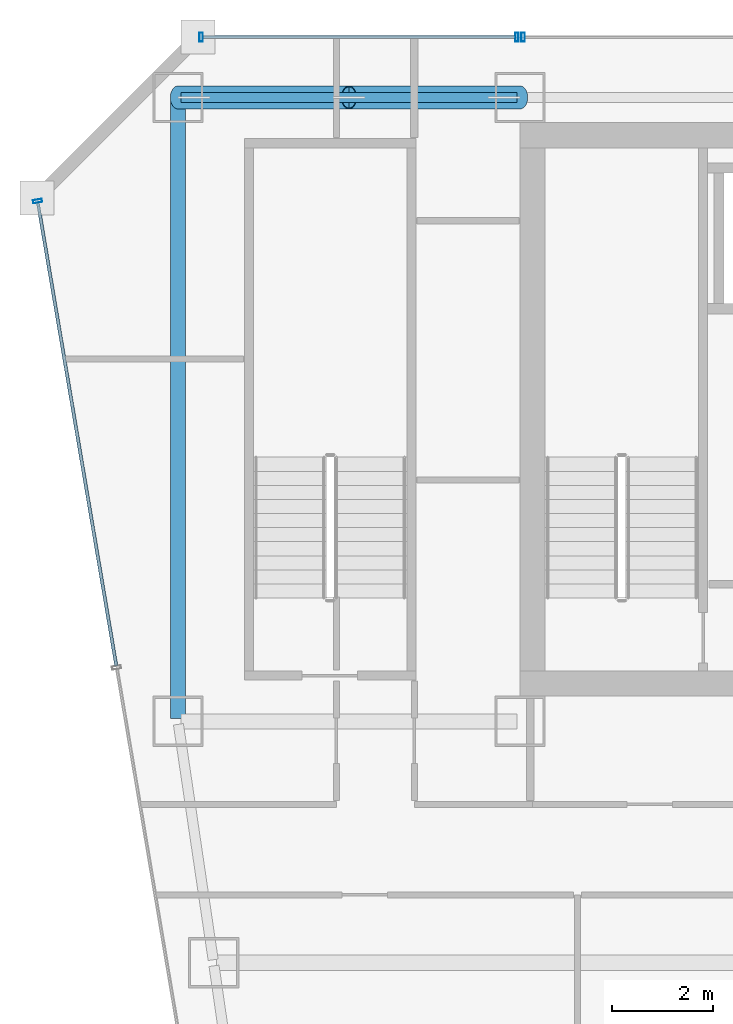
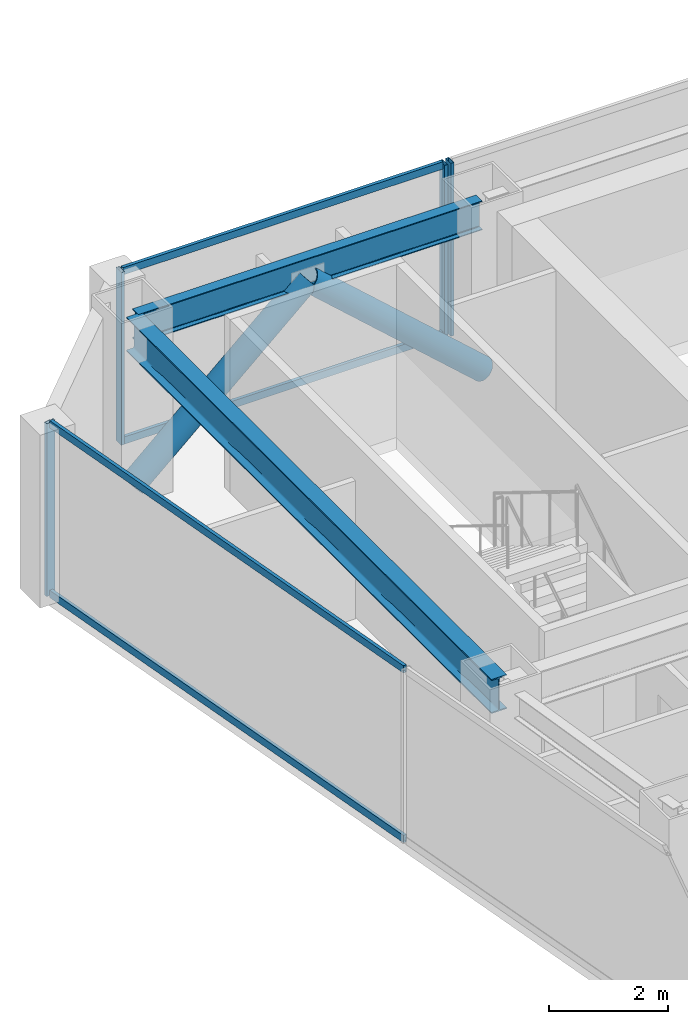
# One storey, part 22 of 35: 10 members, 2 beams, 3 elements without a shape of their own.
"""IFC4 building model written with IfcOpenShell, lengths in metres."""

from ifc_helpers import new_model, si_unit, direction, frame, origin, origin_2d, place, context, subcontext, project, spatial, hollow_rectangle, hollow_circle, i_section, extrude, material, material_profile, profile_set, type_object, element, aggregate, save


model = new_model("IFC4")

# Units and contexts
model_context = context("Model", 3, precision=1e-05, world=origin(), true_north=direction((0.0, 1.0)))
body_context = subcontext(model_context, "Body", "Model", "MODEL_VIEW")
ifc_project = project(units=[si_unit("LENGTHUNIT", "METRE"), si_unit("AREAUNIT", "SQUARE_METRE"), si_unit("VOLUMEUNIT", "CUBIC_METRE"), si_unit("PLANEANGLEUNIT", "RADIAN"), si_unit("MASSUNIT", "GRAM", prefix="KILO")], contexts=[model_context])

# Site, building, storey
site_placement = place(None, origin())
site = spatial("IfcSite", under=ifc_project, at=site_placement, CompositionType="ELEMENT")
building_placement = place(site_placement, origin())
building = spatial("IfcBuilding", under=site, at=building_placement, Name="Saevonmaru Cultural Tower", CompositionType="ELEMENT")
storey_placement = place(building_placement, frame((0.0, 0.0, 175.199951171875)))
storey = spatial("IfcBuildingStorey", under=building, at=storey_placement, Name="L39", CompositionType="ELEMENT", Elevation=175.199951171875)

# Beams
ifc_material_1 = material(Name="Steel SM355", Category="steel")
ifc_material_profile_1 = material_profile(ifc_material_1, i_section(OverallWidth=0.300048828125, OverallDepth=0.699951171875, WebThickness=0.012939453125, FlangeThickness=0.02392578125, FilletRadius=0.02587890625, at=origin_2d()), Name="H-700x300x13x24")
ifc_profile_set_1 = profile_set([ifc_material_profile_1], Name="Steel SM355")
beam_type_1 = type_object("IfcBeamType", Name="BM-G-H700", PredefinedType="BEAM", material=ifc_profile_set_1)
beam_1_placement = place(storey_placement, frame((6.800048828125, 54.739990234375, 3.199951171875), z_axis=(0.0, -1.0, 0.0), x_axis=(1.0, 0.0, 0.0)))
element("IfcBeam", 1, at=beam_1_placement, inside=storey, type_object=beam_type_1, Name="L39 Spine Transverse Girder W", PredefinedType="BEAM", context=body_context, shape_type="SweptSolid", body=[
    extrude(i_section(OverallWidth=0.300048828125, OverallDepth=0.699951171875, WebThickness=0.012939453125, FlangeThickness=0.02392578125, FilletRadius=0.02587890625, at=origin_2d()), origin(), (0.0, 0.0, 1.0), 12.280029296875),
])
ifc_material_profile_2 = material_profile(ifc_material_1, i_section(OverallWidth=0.199951171875, OverallDepth=0.60009765625, WebThickness=0.010986328125, FlangeThickness=0.01708984375, FilletRadius=0.02197265625, at=origin_2d()), Name="H-600x200x11x17")
ifc_profile_set_2 = profile_set([ifc_material_profile_2], Name="Steel SM355")
beam_type_2 = type_object("IfcBeamType", Name="BM-SP-H600", PredefinedType="SPANDREL", material=ifc_profile_set_2)
beam_2_placement = place(storey_placement, frame((6.860107421875, 54.800048828125, 3.25), z_axis=(1.0, 0.0, 0.0), x_axis=(0.0, 1.0, 0.0)))
element("IfcBeam", 2, at=beam_2_placement, inside=storey, type_object=beam_type_2, Name="L39 North Spine Girder 1", PredefinedType="SPANDREL", context=body_context, shape_type="SweptSolid", body=[
    extrude(i_section(OverallWidth=0.199951171875, OverallDepth=0.60009765625, WebThickness=0.010986328125, FlangeThickness=0.01708984375, FilletRadius=0.02197265625, at=origin_2d()), origin(), (0.0, 0.0, 1.0), 6.679931640625),
])

# Members
ifc_material_2 = material(Name="Steel SM420", Category="steel")
ifc_material_profile_3 = material_profile(ifc_material_2, hollow_circle(Radius=0.228515625, WallThickness=0.02001953125, at=origin_2d()), Name="CHS-457.2x20")
ifc_profile_set_3 = profile_set([ifc_material_profile_3], Name="Steel SM420")
member_type_1 = type_object("IfcMemberType", Name="MB-PBR-CHS457", PredefinedType="BRACE", material=ifc_profile_set_3)
for number, where, z_axis, x_axis, name in (
    (3, (6.800048828125, 54.800048828125, 0.02001953125), (0.744366945704, 0.0, 0.667770806597), (0.0, 1.0, 0.0), "L39 Perimeter Braced-Tube Diagonal WN1"),
    (4, (13.60009765625, 54.800048828125, 0.02001953125), (-0.744390779303, 0.0, 0.66774423823), (0.0, -1.0, 0.0), "L39 Perimeter Braced-Tube Diagonal WN2"),
):
    element("IfcMember", number, at=place(storey_placement, frame(where, z_axis=z_axis, x_axis=x_axis)), inside=storey, type_object=member_type_1, Name=name, PredefinedType="BRACE", context=body_context, shape_type="SweptSolid", body=[
        extrude(hollow_circle(Radius=0.228515625, WallThickness=0.02001953125, at=origin_2d()), origin(), (0.0, 0.0, 1.0), 4.567626953125),
    ])

# Curtain wall, member
ifc_material_3 = material(Name="Satin Bronze Anodised Aluminium", Category="aluminium")
curtain_wall_type = type_object("IfcCurtainWallType", Name="CW-TYP-B", PredefinedType="NOTDEFINED", material=ifc_material_3)
curtain_wall_1_placement = place(storey_placement, origin())
curtain_wall_1 = element("IfcCurtainWall", 5, at=curtain_wall_1_placement, inside=storey, type_object=curtain_wall_type, Name="L39 North Spine Unitised Curtain Wall E10B", PredefinedType="NOTDEFINED")
ifc_material_profile_4 = material_profile(ifc_material_3, hollow_rectangle(XDim=0.06494140625, YDim=0.179931640625, WallThickness=0.00390625, at=origin_2d()), Name="ALU-MULL-180x65x4")
ifc_profile_set_4 = profile_set([ifc_material_profile_4], Name="Satin Bronze Anodised Aluminium")
member_type_2 = type_object("IfcMemberType", Name="ML-CW-180x65", PredefinedType="MULLION", material=ifc_profile_set_4)
member_1_placement = place(storey_placement, frame((13.659912109375, 56.0, 0.0), z_axis=(0.0, 0.0, 1.0), x_axis=(-1.0, 0.0, 0.0)))
member_1 = element("IfcMember", 6, at=member_1_placement, type_object=member_type_2, Name="CW-TW-L39-E10B mullion 4", PredefinedType="MULLION", context=body_context, shape_type="SweptSolid", body=[
    extrude(hollow_rectangle(XDim=0.06494140625, YDim=0.179931640625, WallThickness=0.00390625, at=origin_2d()), origin(), (0.0, 0.0, 1.0), 3.550048828125),
])
aggregate(curtain_wall_1, [member_1])

# Curtain wall, members
curtain_wall_2_placement = place(storey_placement, origin())
curtain_wall_2 = element("IfcCurtainWall", 7, at=curtain_wall_2_placement, inside=storey, type_object=curtain_wall_type, Name="L39 West Braced Bay Spandrel Curtain Wall E10C", PredefinedType="NOTDEFINED")
member_2_placement = place(storey_placement, frame((13.5400390625, 56.0, 0.0), z_axis=(0.0, 0.0, 1.0), x_axis=(-1.0, 0.0, 0.0)))
member_2 = element("IfcMember", 8, at=member_2_placement, type_object=member_type_2, Name="CW-TW-L39-E10C mullion 1", PredefinedType="MULLION", context=body_context, shape_type="SweptSolid", body=[
    extrude(hollow_rectangle(XDim=0.06494140625, YDim=0.179931640625, WallThickness=0.00390625, at=origin_2d()), origin(), (0.0, 0.0, 1.0), 3.550048828125),
])
member_3_placement = place(storey_placement, frame((7.260009765625, 56.0, 0.0), z_axis=(0.0, 0.0, 1.0), x_axis=(-1.0, 0.0, 0.0)))
member_3 = element("IfcMember", 9, at=member_3_placement, type_object=member_type_2, Name="CW-TW-L39-E10C mullion 2", PredefinedType="MULLION", context=body_context, shape_type="SweptSolid", body=[
    extrude(hollow_rectangle(XDim=0.06494140625, YDim=0.179931640625, WallThickness=0.00390625, at=origin_2d()), origin(), (0.0, 0.0, 1.0), 3.550048828125),
])

# Curtain wall, member
curtain_wall_3_placement = place(storey_placement, origin())
curtain_wall_3 = element("IfcCurtainWall", 10, at=curtain_wall_3_placement, inside=storey, type_object=curtain_wall_type, Name="L39 Unitised Curtain Wall E12", PredefinedType="NOTDEFINED")
member_4_placement = place(storey_placement, frame((4.010009765625, 52.74072265625, 0.0), z_axis=(0.0, 0.0, 1.0), x_axis=(0.16692169721, -0.985970155228, 0.0)))
member_4 = element("IfcMember", 11, at=member_4_placement, type_object=member_type_2, Name="CW-TW-L39-E12 mullion 1", PredefinedType="MULLION", context=body_context, shape_type="SweptSolid", body=[
    extrude(hollow_rectangle(XDim=0.06494140625, YDim=0.179931640625, WallThickness=0.00390625, at=origin_2d()), origin(), (0.0, 0.0, 1.0), 3.550048828125),
])

# Member
ifc_material_profile_5 = material_profile(ifc_material_3, hollow_rectangle(XDim=0.06494140625, YDim=0.14990234375, WallThickness=0.00390625, at=origin_2d()), Name="ALU-TRAN-150x65x4")
ifc_profile_set_5 = profile_set([ifc_material_profile_5], Name="Satin Bronze Anodised Aluminium")
member_type_3 = type_object("IfcMemberType", Name="TR-CW-150x65", PredefinedType="USERDEFINED", material=ifc_profile_set_5)
member_5_placement = place(storey_placement, frame((13.507568359375, 56.0, 0.032470703125), z_axis=(-1.0, 0.0, 0.0), x_axis=(0.0, -1.0, 0.0)))
member_5 = element("IfcMember", 12, at=member_5_placement, type_object=member_type_3, Name="CW-TW-L39-E10C transom 1.1", ObjectType="TRANSOM", PredefinedType="USERDEFINED", context=body_context, shape_type="SweptSolid", body=[
    extrude(hollow_rectangle(XDim=0.06494140625, YDim=0.14990234375, WallThickness=0.00390625, at=origin_2d()), origin(), (0.0, 0.0, 1.0), 6.215087890625),
])

member_6_placement = place(storey_placement, frame((13.507568359375, 56.0, 3.517578125), z_axis=(-1.0, 0.0, 0.0), x_axis=(0.0, -1.0, 0.0)))
member_6 = element("IfcMember", 13, at=member_6_placement, type_object=member_type_3, Name="CW-TW-L39-E10C transom 1.2", ObjectType="TRANSOM", PredefinedType="USERDEFINED", context=body_context, shape_type="SweptSolid", body=[
    extrude(hollow_rectangle(XDim=0.06494140625, YDim=0.14990234375, WallThickness=0.00390625, at=origin_2d()), origin(), (0.0, 0.0, 1.0), 6.215087890625),
])

aggregate(curtain_wall_2, [member_2, member_3, member_5, member_6])

member_7_placement = place(storey_placement, frame((4.015380859375, 52.708740234375, 0.032470703125), z_axis=(0.166921263871, -0.985970228591, 0.0), x_axis=(0.985970228591, 0.166921263871, 0.0)))
member_7 = element("IfcMember", 14, at=member_7_placement, type_object=member_type_3, Name="CW-TW-L39-E12 transom 1.1", ObjectType="TRANSOM", PredefinedType="USERDEFINED", context=body_context, shape_type="SweptSolid", body=[
    extrude(hollow_rectangle(XDim=0.06494140625, YDim=0.14990234375, WallThickness=0.00390625, at=origin_2d()), origin(), (0.0, 0.0, 1.0), 9.33740234375),
])

member_8_placement = place(storey_placement, frame((4.015380859375, 52.708740234375, 3.517578125), z_axis=(0.166921263871, -0.985970228591, 0.0), x_axis=(0.985970228591, 0.166921263871, 0.0)))
member_8 = element("IfcMember", 15, at=member_8_placement, type_object=member_type_3, Name="CW-TW-L39-E12 transom 1.2", ObjectType="TRANSOM", PredefinedType="USERDEFINED", context=body_context, shape_type="SweptSolid", body=[
    extrude(hollow_rectangle(XDim=0.06494140625, YDim=0.14990234375, WallThickness=0.00390625, at=origin_2d()), origin(), (0.0, 0.0, 1.0), 9.33740234375),
])

aggregate(curtain_wall_3, [member_4, member_7, member_8])

save(model, "model.ifc")
